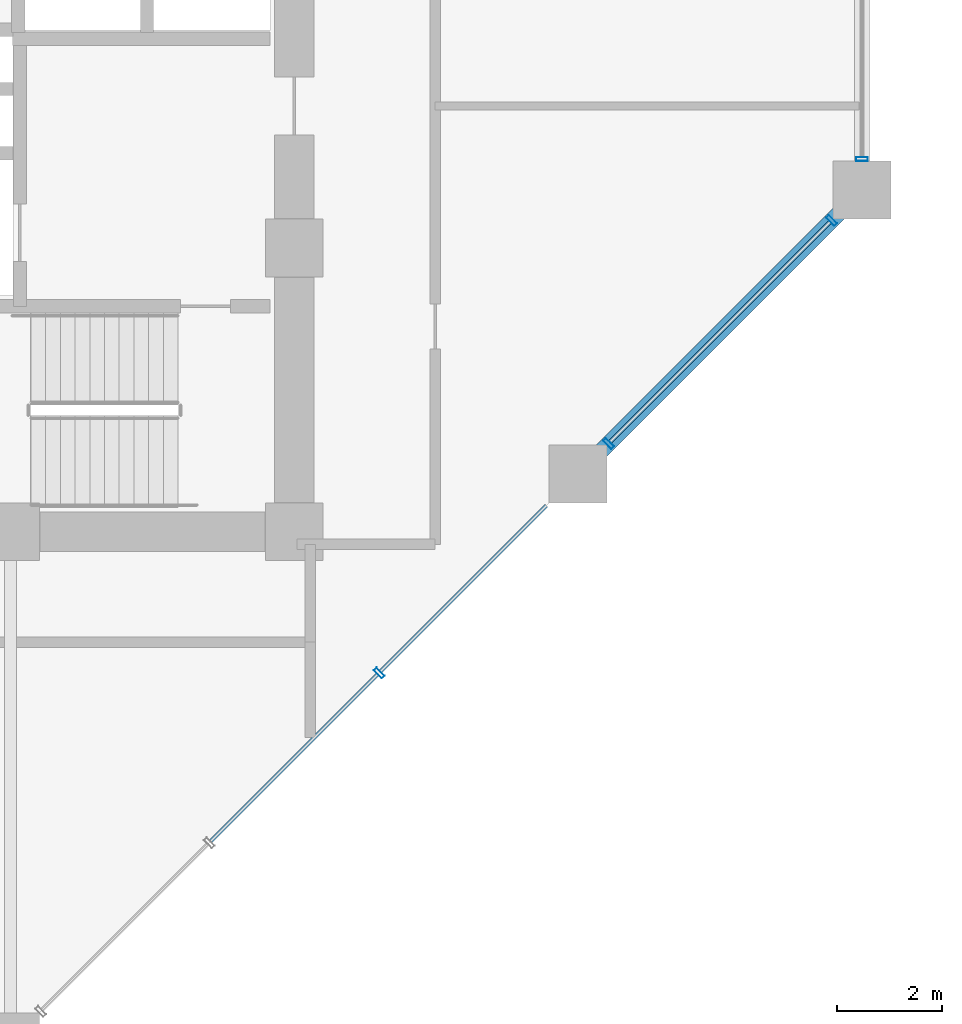
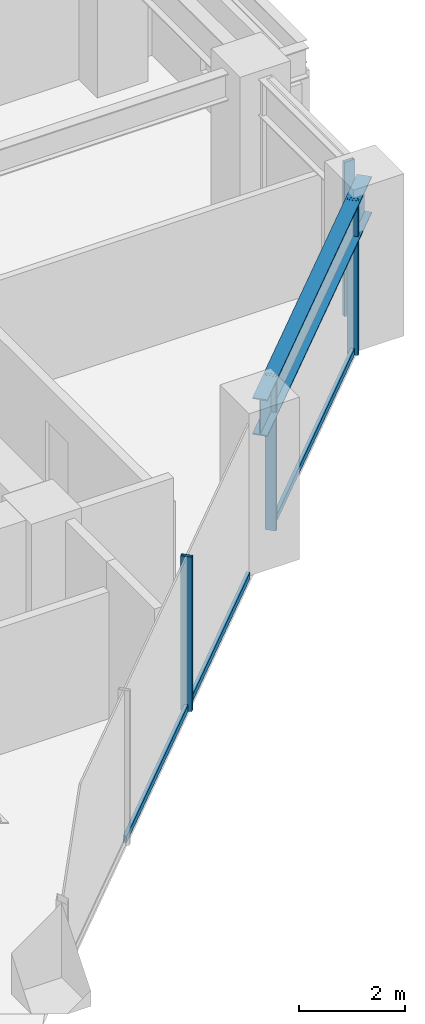
# One storey, part 8 of 25: 7 members, 1 beam, 2 elements without a shape of their own.
"""IFC4 building model written with IfcOpenShell, lengths in metres."""

from ifc_helpers import new_model, si_unit, direction, frame, origin, origin_2d, place, context, subcontext, project, spatial, hollow_rectangle, i_section, extrude, material, layer, layer_set, material_profile, profile_set, type_object, element, aggregate, save


model = new_model("IFC4")

# Units and contexts
model_context = context("Model", 3, precision=1e-05, world=origin(), true_north=direction((0.0, 1.0)))
body_context = subcontext(model_context, "Body", "Model", "MODEL_VIEW")
ifc_project = project(units=[si_unit("LENGTHUNIT", "METRE"), si_unit("AREAUNIT", "SQUARE_METRE"), si_unit("VOLUMEUNIT", "CUBIC_METRE"), si_unit("PLANEANGLEUNIT", "RADIAN"), si_unit("MASSUNIT", "GRAM", prefix="KILO")], contexts=[model_context])

# Site, building, storey
site_placement = place(None, origin())
site = spatial("IfcSite", under=ifc_project, at=site_placement, CompositionType="ELEMENT")
building_placement = place(site_placement, origin())
building = spatial("IfcBuilding", under=site, at=building_placement, Name="Surkhivell Harbour Commons", CompositionType="ELEMENT")
storey_placement = place(building_placement, frame((0.0, 0.0, 98.25)))
storey = spatial("IfcBuildingStorey", under=building, at=storey_placement, Name="L25", CompositionType="ELEMENT", Elevation=98.25)

# Beam
ifc_material_1 = material(Name="Steel S460", Category="steel")
ifc_material_profile_1 = material_profile(ifc_material_1, i_section(OverallWidth=0.2939453125, OverallDepth=0.85107421875, WebThickness=0.01611328125, FlangeThickness=0.02685546875, at=origin_2d()), Name="UB838x292x226")
ifc_profile_set_1 = profile_set([ifc_material_profile_1], Name="Steel S460")
beam_type = type_object("IfcBeamType", Name="BM-SPN-838", PredefinedType="SPANDREL", material=ifc_profile_set_1)
beam_placement = place(storey_placement, frame((16.199951171875, -9.699951171875, 3.14453125), z_axis=(0.707122765516, 0.707090796496, 0.0), x_axis=(-0.707090796496, 0.707122765516, 0.0)))
element("IfcBeam", 1, at=beam_placement, inside=storey, type_object=beam_type, Name="L25 Tube Spandrel (16.2,-9.7)", PredefinedType="SPANDREL", context=body_context, shape_type="SweptSolid", body=[
    extrude(i_section(OverallWidth=0.2939453125, OverallDepth=0.85107421875, WebThickness=0.01611328125, FlangeThickness=0.02685546875, at=origin_2d()), origin(), (0.0, 0.0, 1.0), 7.63671875),
])

# Curtain wall, members
ifc_material_2 = material(Name="Anodised pale-metal aluminium and insulated glazing", Category="aluminium")
ifc_layer = layer(ifc_material_2, 0.205078125)
ifc_layer_set = layer_set([ifc_layer], Name="Anodised pale-metal aluminium and insulated glazing")
curtain_wall_type = type_object("IfcCurtainWallType", Name="CW-SYS-Z2", PredefinedType="NOTDEFINED", material=ifc_layer_set)
curtain_wall_1_placement = place(storey_placement, origin())
curtain_wall_1 = element("IfcCurtainWall", 2, at=curtain_wall_1_placement, inside=storey, type_object=curtain_wall_type, Name="L25 Curtain Wall CW-L25-E01", PredefinedType="NOTDEFINED")
ifc_material_3 = material(Name="Anodised pale-metal aluminium alloy 6063-T6", Category="aluminium")
ifc_material_profile_2 = material_profile(ifc_material_3, hollow_rectangle(XDim=0.074951171875, YDim=0.219970703125, WallThickness=0.00390625, at=origin_2d()), Name="ALU-MULL-75x220")
ifc_profile_set_2 = profile_set([ifc_material_profile_2], Name="Anodised pale-metal aluminium alloy 6063-T6")
member_type_1 = type_object("IfcMemberType", Name="CWM-220", PredefinedType="MULLION", material=ifc_profile_set_2)
member_1_placement = place(storey_placement, frame((12.416015625, -13.48388671875, 0.0), z_axis=(0.0, 0.0, 1.0), x_axis=(0.707106781187, 0.707106781187, 0.0)))
member_1 = element("IfcMember", 3, at=member_1_placement, type_object=member_type_1, Name="CW-Z2 mullion 4", PredefinedType="MULLION", context=body_context, shape_type="SweptSolid", body=[
    extrude(hollow_rectangle(XDim=0.074951171875, YDim=0.219970703125, WallThickness=0.00390625, at=origin_2d()), origin(), (0.0, 0.0, 1.0), 3.570068359375),
])
member_2_placement = place(storey_placement, frame((16.7783203125, -9.121826171875, 0.0), z_axis=(0.0, 0.0, 1.0), x_axis=(0.707106781187, 0.707106781187, 0.0)))
member_2 = element("IfcMember", 4, at=member_2_placement, type_object=member_type_1, Name="CW-Z2 mullion 5", PredefinedType="MULLION", context=body_context, shape_type="SweptSolid", body=[
    extrude(hollow_rectangle(XDim=0.074951171875, YDim=0.219970703125, WallThickness=0.00390625, at=origin_2d()), origin(), (0.0, 0.0, 1.0), 3.570068359375),
])
member_3_placement = place(storey_placement, frame((21.021728515625, -4.878173828125, 0.0), z_axis=(0.0, 0.0, 1.0), x_axis=(0.707106781187, 0.707106781187, 0.0)))
member_3 = element("IfcMember", 5, at=member_3_placement, type_object=member_type_1, Name="CW-Z2 mullion 6", PredefinedType="MULLION", context=body_context, shape_type="SweptSolid", body=[
    extrude(hollow_rectangle(XDim=0.074951171875, YDim=0.219970703125, WallThickness=0.00390625, at=origin_2d()), origin(), (0.0, 0.0, 1.0), 3.570068359375),
])

# Curtain wall, member
curtain_wall_2_placement = place(storey_placement, origin())
curtain_wall_2 = element("IfcCurtainWall", 6, at=curtain_wall_2_placement, inside=storey, type_object=curtain_wall_type, Name="L25 Curtain Wall CW-L25-E02R1", PredefinedType="NOTDEFINED")
member_4_placement = place(storey_placement, frame((21.60009765625, -3.71044921875, 0.0), z_axis=(0.0, 0.0, 1.0), x_axis=(0.0, 1.0, 0.0)))
member_4 = element("IfcMember", 7, at=member_4_placement, type_object=member_type_1, Name="CW-Z2 mullion 1", PredefinedType="MULLION", context=body_context, shape_type="SweptSolid", body=[
    extrude(hollow_rectangle(XDim=0.074951171875, YDim=0.219970703125, WallThickness=0.00390625, at=origin_2d()), origin(), (0.0, 0.0, 1.0), 3.570068359375),
])
aggregate(curtain_wall_2, [member_4])

# Member
ifc_material_profile_3 = material_profile(ifc_material_3, hollow_rectangle(XDim=0.074951171875, YDim=0.14990234375, WallThickness=0.00341796875, at=origin_2d()), Name="ALU-TRAN-75x150")
ifc_profile_set_3 = profile_set([ifc_material_profile_3], Name="Anodised pale-metal aluminium alloy 6063-T6")
member_type_2 = type_object("IfcMemberType", Name="CWT-150", PredefinedType="USERDEFINED", material=ifc_profile_set_3)
member_5_placement = place(storey_placement, frame((9.21044921875, -16.689697265625, 0.074951171875), z_axis=(0.707106781187, 0.707106781187, 0.0), x_axis=(-0.707106781187, 0.707106781187, 0.0)))
member_5 = element("IfcMember", 8, at=member_5_placement, type_object=member_type_2, Name="CW-Z2 transom 3.1", ObjectType="TRANSOM", PredefinedType="USERDEFINED", context=body_context, shape_type="SweptSolid", body=[
    extrude(hollow_rectangle(XDim=0.074951171875, YDim=0.14990234375, WallThickness=0.00341796875, at=origin_2d()), origin(), (0.0, 0.0, 1.0), 4.49609375),
])

member_6_placement = place(storey_placement, frame((12.442626953125, -13.457275390625, 0.074951171875), z_axis=(0.707106781187, 0.707106781187, 0.0), x_axis=(-0.707106781187, 0.707106781187, 0.0)))
member_6 = element("IfcMember", 9, at=member_6_placement, type_object=member_type_2, Name="CW-Z2 transom 4.1", ObjectType="TRANSOM", PredefinedType="USERDEFINED", context=body_context, shape_type="SweptSolid", body=[
    extrude(hollow_rectangle(XDim=0.074951171875, YDim=0.14990234375, WallThickness=0.00341796875, at=origin_2d()), origin(), (0.0, 0.0, 1.0), 4.45849609375),
])

member_7_placement = place(storey_placement, frame((16.8046875, -9.09521484375, 0.074951171875), z_axis=(0.707127378829, 0.707086182944, 0.0), x_axis=(-0.707086182944, 0.707127378829, 0.0)))
member_7 = element("IfcMember", 10, at=member_7_placement, type_object=member_type_2, Name="CW-Z2 transom 5.1", ObjectType="TRANSOM", PredefinedType="USERDEFINED", context=body_context, shape_type="SweptSolid", body=[
    extrude(hollow_rectangle(XDim=0.074951171875, YDim=0.14990234375, WallThickness=0.00341796875, at=origin_2d()), origin(), (0.0, 0.0, 1.0), 5.92626953125),
])

aggregate(curtain_wall_1, [member_1, member_5, member_6, member_2, member_3, member_7])

save(model, "model.ifc")
